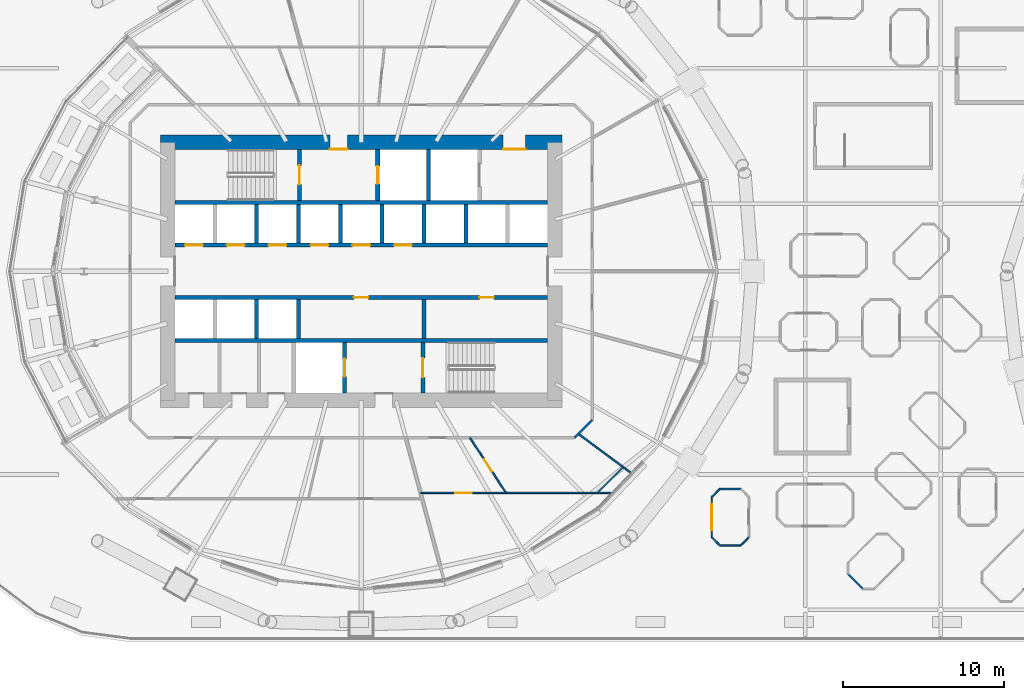
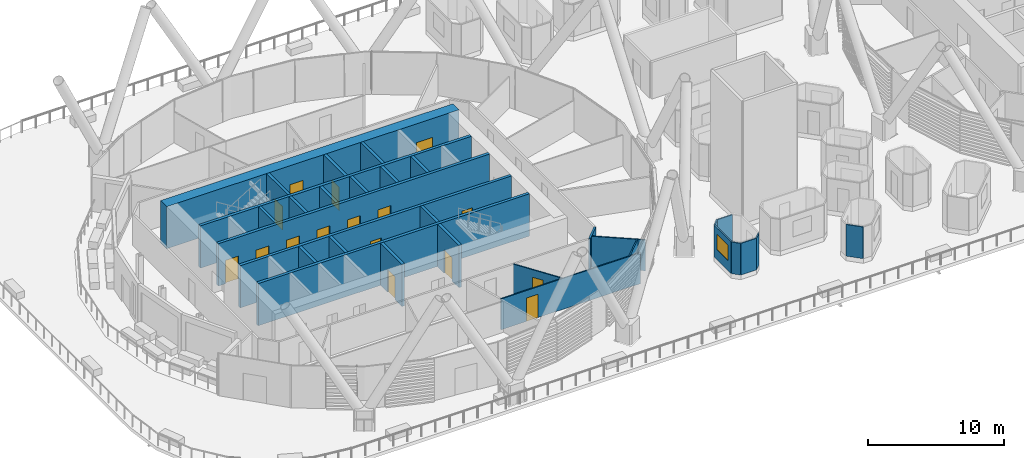
# One storey, part 25 of 47: 31 walls, 16 doors, 1 window, 17 openings.
"""IFC4 building model written with IfcOpenShell, lengths in metres."""

from ifc_helpers import new_model, si_unit, direction, frame, frame_2d, origin, place, context, subcontext, project, spatial, rectangle, extrude, material, layer, layer_set, type_object, element, fill, save


model = new_model("IFC4")

# Units and contexts
model_context = context("Model", 3, precision=1e-05, world=origin(), true_north=direction((0.0, 1.0)))
body_context = subcontext(model_context, "Body", "Model", "MODEL_VIEW")
ifc_project = project(units=[si_unit("LENGTHUNIT", "METRE"), si_unit("AREAUNIT", "SQUARE_METRE"), si_unit("VOLUMEUNIT", "CUBIC_METRE"), si_unit("PLANEANGLEUNIT", "RADIAN"), si_unit("MASSUNIT", "GRAM", prefix="KILO")], contexts=[model_context])

# Site, building, storey
site_placement = place(None, origin())
site = spatial("IfcSite", under=ifc_project, at=site_placement, CompositionType="ELEMENT")
building_placement = place(site_placement, origin())
building = spatial("IfcBuilding", under=site, at=building_placement, Name="Rimbun Link Towers", CompositionType="ELEMENT")
storey_placement = place(building_placement, frame((0.0, 0.0, 30.0)))
storey = spatial("IfcBuildingStorey", under=building, at=storey_placement, Name="L06", CompositionType="ELEMENT", Elevation=30.0)

# Walls
ifc_material_1 = material(Name="Terracotta-faced insulated sandwich panel", Category="masonry")
ifc_layer_1 = layer(ifc_material_1, 0.10009765625)
ifc_layer_set_1 = layer_set([ifc_layer_1], Name="CAPSULE shell panel 100")
wall_type_1 = type_object("IfcWallType", Name="CAPSULE shell panel 100", PredefinedType="STANDARD", material=ifc_layer_set_1)
for number, where, z_axis, x_axis, name in (
    (1, (-1.547119140625, -18.77783203125, 0.409912109375), (0.0, 0.0, 1.0), (0.707106781187, -0.707106781187, 0.0), "CAPSULE P02 shell panel 5"),
    (2, (-8.199951171875, -13.5, 0.409912109375), (0.0, 0.0, 1.0), (-1.0, 0.0, 0.0), "CAPSULE P03 shell panel 1"),
):
    element("IfcWall", number, at=place(storey_placement, frame(where, z_axis=z_axis, x_axis=x_axis)), inside=storey, type_object=wall_type_1, Name=name, PredefinedType="STANDARD", context=body_context, shape_type="SweptSolid", body=[
        extrude(rectangle(XDim=1.300048828125, YDim=0.10009765625, at=frame_2d((0.64990234375, 0.0))), origin(), (0.0, 0.0, 1.0), 2.85009765625),
    ])
wall_1_placement = place(storey_placement, frame((-9.5, -13.5, 0.409912109375), z_axis=(0.0, 0.0, 1.0), x_axis=(-0.707106781187, -0.707106781187, 0.0)))
element("IfcWall", 3, at=wall_1_placement, inside=storey, type_object=wall_type_1, Name="CAPSULE P03 shell panel 2", PredefinedType="STANDARD", context=body_context, shape_type="SweptSolid", body=[
    extrude(rectangle(XDim=0.70703125, YDim=0.10009765625, at=frame_2d((0.353515625, 0.0))), origin(), (0.0, 0.0, 1.0), 2.85009765625),
])

# Wall, opening, window
wall_2_placement = place(storey_placement, frame((-10.0, -14.0, 0.409912109375), z_axis=(0.0, 0.0, 1.0), x_axis=(0.0, -1.0, 0.0)))
wall_2 = element("IfcWall", 4, at=wall_2_placement, inside=storey, type_object=wall_type_1, Name="CAPSULE P03 shell panel 3", PredefinedType="STANDARD", context=body_context, shape_type="SweptSolid", body=[
    extrude(rectangle(XDim=2.5, YDim=0.10009765625, at=frame_2d((1.25, 0.0))), origin(), (0.0, 0.0, 1.0), 2.85009765625),
])
opening_1_placement = place(wall_2_placement, frame((0.449951171875, 0.0, 0.89990234375)))
opening_1 = element("IfcOpeningElement", 5, at=opening_1_placement, cuts=wall_2, Name="Opening CN06.03", PredefinedType="OPENING", context=body_context, shape_type="SweptSolid", body=[
    extrude(rectangle(XDim=1.60009765625, YDim=1.39990234375, at=frame_2d((0.800048828125, 0.699951171875))), frame((0.0, 0.06005859375, 0.0), z_axis=(0.0, -1.0, 0.0), x_axis=(1.0, 0.0, 0.0)), (0.0, 0.0, 1.0), 0.1201171875),
])
ifc_material_2 = material(Name="Aluminium framed window, low-iron glass", Category="aluminium")
window_type = type_object("IfcWindowType", Name="CAPSULE window 1600X1400", PartitioningType="SINGLE_PANEL", PredefinedType="WINDOW", material=ifc_material_2)
window_placement = place(opening_1_placement, origin())
window = element("IfcWindow", 6, at=window_placement, inside=storey, type_object=window_type, Name="CAPSULE P03 window", OverallHeight=1.39990234375, OverallWidth=1.60009765625, PartitioningType="SINGLE_PANEL", PredefinedType="WINDOW", context=body_context, shape_type="SweptSolid", body=[
    extrude(rectangle(XDim=1.60009765625, YDim=1.39990234375, at=frame_2d((0.800048828125, 0.699951171875))), frame((0.0, 0.030029296875, 0.0), z_axis=(0.0, -1.0, 0.0), x_axis=(1.0, 0.0, 0.0)), (0.0, 0.0, 1.0), 0.06005859375),
])
fill(opening_1, window)

# Walls
wall_3_placement = place(storey_placement, frame((-10.0, -16.5, 0.409912109375), z_axis=(0.0, 0.0, 1.0), x_axis=(0.707106781187, -0.707106781187, 0.0)))
element("IfcWall", 7, at=wall_3_placement, inside=storey, type_object=wall_type_1, Name="CAPSULE P03 shell panel 4", PredefinedType="STANDARD", context=body_context, shape_type="SweptSolid", body=[
    extrude(rectangle(XDim=0.70703125, YDim=0.10009765625, at=frame_2d((0.353515625, 0.0))), origin(), (0.0, 0.0, 1.0), 2.85009765625),
])
wall_4_placement = place(storey_placement, frame((-9.5, -17.0, 0.409912109375), z_axis=(0.0, 0.0, 1.0), x_axis=(1.0, 0.0, 0.0)))
element("IfcWall", 8, at=wall_4_placement, inside=storey, type_object=wall_type_1, Name="CAPSULE P03 shell panel 5", PredefinedType="STANDARD", context=body_context, shape_type="SweptSolid", body=[
    extrude(rectangle(XDim=1.300048828125, YDim=0.10009765625, at=frame_2d((0.64990234375, 0.0))), origin(), (0.0, 0.0, 1.0), 2.85009765625),
])
wall_5_placement = place(storey_placement, frame((-8.199951171875, -17.0, 0.409912109375), z_axis=(0.0, 0.0, 1.0), x_axis=(0.707106781187, 0.707106781187, 0.0)))
element("IfcWall", 9, at=wall_5_placement, inside=storey, type_object=wall_type_1, Name="CAPSULE P03 shell panel 6", PredefinedType="STANDARD", context=body_context, shape_type="SweptSolid", body=[
    extrude(rectangle(XDim=0.70703125, YDim=0.10009765625, at=frame_2d((0.353515625, 0.0))), origin(), (0.0, 0.0, 1.0), 2.85009765625),
])

# Wall, openings, doors
ifc_material_3 = material(Name="Concrete C60/75", Category="concrete")
ifc_layer_2 = layer(ifc_material_3, 0.89990234375)
ifc_layer_set_2 = layer_set([ifc_layer_2], Name="Core shear wall 900")
wall_type_2 = type_object("IfcWallType", Name="Core shear wall 900", PredefinedType="SHEAR", material=ifc_layer_set_2)
wall_6_placement = place(storey_placement, frame((-44.199951171875, 8.0, 0.0), z_axis=(0.0, 0.0, 1.0), x_axis=(1.0, 0.0, 0.0)))
wall_6 = element("IfcWall", 10, at=wall_6_placement, inside=storey, type_object=wall_type_2, Name="L06 T1 core wall N", PredefinedType="SHEAR", context=body_context, shape_type="SweptSolid", body=[
    extrude(rectangle(XDim=24.89990234375, YDim=0.89990234375, at=frame_2d((12.449951171875, 0.0))), origin(), (0.0, 0.0, 1.0), 3.800048828125),
])
opening_2_placement = place(wall_6_placement, frame((10.5, 0.0, 0.0)))
opening_2 = element("IfcOpeningElement", 11, at=opening_2_placement, cuts=wall_6, Name="Opening C1DCF01N", PredefinedType="OPENING", context=body_context, shape_type="SweptSolid", body=[
    extrude(rectangle(XDim=1.10009765625, YDim=2.10009765625, at=frame_2d((0.550048828125, 1.050048828125))), frame((0.0, 0.4599609375, 0.0), z_axis=(0.0, -1.0, 0.0), x_axis=(1.0, 0.0, 0.0)), (0.0, 0.0, 1.0), 0.919921875),
])
opening_3_placement = place(wall_6_placement, frame((21.25, 0.0, 0.0)))
opening_3 = element("IfcOpeningElement", 12, at=opening_3_placement, cuts=wall_6, Name="Opening C1DSL02N", PredefinedType="OPENING", context=body_context, shape_type="SweptSolid", body=[
    extrude(rectangle(XDim=1.39990234375, YDim=2.10009765625, at=frame_2d((0.699951171875, 1.050048828125))), frame((0.0, 0.4599609375, 0.0), z_axis=(0.0, -1.0, 0.0), x_axis=(1.0, 0.0, 0.0)), (0.0, 0.0, 1.0), 0.919921875),
])
ifc_material_4 = material(Name="Steel fire door set", Category="steel")
door_type_1 = type_object("IfcDoorType", Name="Core fire door single", OperationType="SINGLE_SWING_LEFT", PredefinedType="DOOR", material=ifc_material_4)
door_1_placement = place(opening_2_placement, origin())
door_1 = element("IfcDoor", 13, at=door_1_placement, inside=storey, type_object=door_type_1, Name="L06 T1 firefighting lobby n door", OperationType="SINGLE_SWING_LEFT", OverallHeight=2.10009765625, OverallWidth=1.10009765625, PredefinedType="DOOR", context=body_context, shape_type="SweptSolid", body=[
    extrude(rectangle(XDim=1.10009765625, YDim=2.10009765625, at=frame_2d((0.550048828125, 1.050048828125))), frame((0.0, -0.39990234375, 0.0), z_axis=(0.0, -1.0, 0.0), x_axis=(1.0, 0.0, 0.0)), (0.0, 0.0, 1.0), 0.050048828125),
])
fill(opening_2, door_1)
ifc_material_5 = material(Name="Steel fire door set", Category="steel")
door_type_2 = type_object("IfcDoorType", Name="Service lobby door double", OperationType="DOUBLE_DOOR_SINGLE_SWING", PredefinedType="DOOR", material=ifc_material_5)
door_2_placement = place(opening_3_placement, origin())
door_2 = element("IfcDoor", 14, at=door_2_placement, inside=storey, type_object=door_type_2, Name="L06 T1 service lobby door", OperationType="DOUBLE_DOOR_SINGLE_SWING", OverallHeight=2.10009765625, OverallWidth=1.39990234375, PredefinedType="DOOR", context=body_context, shape_type="SweptSolid", body=[
    extrude(rectangle(XDim=1.39990234375, YDim=2.10009765625, at=frame_2d((0.699951171875, 1.050048828125))), frame((0.0, -0.39990234375, 0.0), z_axis=(0.0, -1.0, 0.0), x_axis=(1.0, 0.0, 0.0)), (0.0, 0.0, 1.0), 0.050048828125),
])
fill(opening_3, door_2)

# Wall
ifc_material_6 = material(Name="Plasterboard on steel stud, mineral wool", Category="steel")
ifc_layer_3 = layer(ifc_material_6, 0.14990234375)
ifc_layer_set_3 = layer_set([ifc_layer_3], Name="Corridor wall EI 30 150 mm")
wall_type_3 = type_object("IfcWallType", Name="Corridor wall EI 30 150 mm", PredefinedType="PARTITIONING", material=ifc_layer_set_3)
wall_7_placement = place(storey_placement, frame((-18.523193359375, -10.324951171875, 0.0), z_axis=(0.0, 0.0, 1.0), x_axis=(0.707106781187, 0.707106781187, 0.0)))
element("IfcWall", 15, at=wall_7_placement, inside=storey, type_object=wall_type_3, Name="Corridor wall EI 30 150 mm", PredefinedType="PARTITIONING", context=body_context, shape_type="SweptSolid", body=[
    extrude(rectangle(XDim=1.552978515625, YDim=0.14990234375, at=frame_2d((0.7763671875, 0.0))), origin(), (0.0, 0.0, 1.0), 2.779052734375),
])

# Wall, opening, door
ifc_material_7 = material(Name="Plasterboard on steel stud", Category="steel")
ifc_layer_4 = layer(ifc_material_7, 0.10009765625)
ifc_layer_set_4 = layer_set([ifc_layer_4], Name="Plasterboard partition 100 mm")
wall_type_4 = type_object("IfcWallType", Name="Plasterboard partition 100 mm", PredefinedType="PARTITIONING", material=ifc_layer_set_4)
wall_8_placement = place(storey_placement, frame((-25.002685546875, -10.324951171875, 0.0), z_axis=(0.0, 0.0, 1.0), x_axis=(0.547051322279, -0.837099068685, 0.0)))
wall_8 = element("IfcWall", 16, at=wall_8_placement, inside=storey, type_object=wall_type_4, Name="Plasterboard partition 100 mm", PredefinedType="PARTITIONING", context=body_context, shape_type="SweptSolid", body=[
    extrude(rectangle(XDim=4.085693359375, YDim=0.10009765625, at=frame_2d((2.04296875, 0.0))), origin(), (0.0, 0.0, 1.0), 2.779052734375),
])
opening_4_placement = place(wall_8_placement, frame((1.5927734375, 0.0, 0.0)))
opening_4 = element("IfcOpeningElement", 17, at=opening_4_placement, cuts=wall_8, Name="Opening D04", PredefinedType="OPENING", context=body_context, shape_type="SweptSolid", body=[
    extrude(rectangle(XDim=0.89990234375, YDim=2.10009765625, at=frame_2d((0.449951171875, 1.050048828125))), frame((0.0, 0.06005859375, 0.0), z_axis=(0.0, -1.0, 0.0), x_axis=(1.0, 0.0, 0.0)), (0.0, 0.0, 1.0), 0.1201171875),
])
ifc_material_8 = material(Name="Timber door leaf", Category="wood")
door_type_3 = type_object("IfcDoorType", Name="Flush door 900", OperationType="NOTDEFINED", PredefinedType="DOOR", material=ifc_material_8)
door_3_placement = place(opening_4_placement, origin())
door_3 = element("IfcDoor", 18, at=door_3_placement, inside=storey, type_object=door_type_3, Name="Flush door 900 to Meeting room", OperationType="SINGLE_SWING_RIGHT", OverallHeight=2.10009765625, OverallWidth=0.89990234375, PredefinedType="DOOR", context=body_context, shape_type="SweptSolid", body=[
    extrude(rectangle(XDim=0.89990234375, YDim=2.10009765625, at=frame_2d((0.449951171875, 1.050048828125))), frame((0.0, 0.02490234375, 0.0), z_axis=(0.0, -1.0, 0.0), x_axis=(1.0, 0.0, 0.0)), (0.0, 0.0, 1.0), 0.050048828125),
])
fill(opening_4, door_3)

wall_9_placement = place(storey_placement, frame((-16.1962890625, -13.7451171875, 0.0), z_axis=(0.0, 0.0, 1.0), x_axis=(-1.0, 0.0, 0.0)))
wall_9 = element("IfcWall", 19, at=wall_9_placement, inside=storey, type_object=wall_type_4, Name="Plasterboard partition 100 mm", PredefinedType="PARTITIONING", context=body_context, shape_type="SweptSolid", body=[
    extrude(rectangle(XDim=11.87060546875, YDim=0.10009765625, at=frame_2d((5.935302734375, 0.0))), origin(), (0.0, 0.0, 1.0), 2.779052734375),
])
opening_5_placement = place(wall_9_placement, frame((8.706298828125, 0.0, 0.0)))
opening_5 = element("IfcOpeningElement", 20, at=opening_5_placement, cuts=wall_9, Name="Opening D03", PredefinedType="OPENING", context=body_context, shape_type="SweptSolid", body=[
    extrude(rectangle(XDim=1.0, YDim=2.10009765625, at=frame_2d((0.5, 1.050048828125))), frame((0.0, 0.06005859375, 0.0), z_axis=(0.0, -1.0, 0.0), x_axis=(1.0, 0.0, 0.0)), (0.0, 0.0, 1.0), 0.1201171875),
])
ifc_material_9 = material(Name="Timber door leaf", Category="wood")
door_type_4 = type_object("IfcDoorType", Name="Flush door 1000", OperationType="NOTDEFINED", PredefinedType="DOOR", material=ifc_material_9)
door_4_placement = place(opening_5_placement, origin())
door_4 = element("IfcDoor", 21, at=door_4_placement, inside=storey, type_object=door_type_4, Name="Flush door 1000 to Open office", OperationType="SINGLE_SWING_LEFT", OverallHeight=2.10009765625, OverallWidth=1.0, PredefinedType="DOOR", context=body_context, shape_type="SweptSolid", body=[
    extrude(rectangle(XDim=1.0, YDim=2.10009765625, at=frame_2d((0.5, 1.050048828125))), frame((0.0, 0.02490234375, 0.0), z_axis=(0.0, -1.0, 0.0), x_axis=(1.0, 0.0, 0.0)), (0.0, 0.0, 1.0), 0.050048828125),
])
fill(opening_5, door_4)

# Walls
wall_10_placement = place(storey_placement, frame((-15.01171875, -12.515380859375, 0.0), z_axis=(0.0, 0.0, 1.0), x_axis=(-0.800890859627, 0.598810346408, 0.0)))
element("IfcWall", 22, at=wall_10_placement, inside=storey, type_object=wall_type_4, Name="Plasterboard partition 100 mm", PredefinedType="PARTITIONING", context=body_context, shape_type="SweptSolid", body=[
    extrude(rectangle(XDim=4.07373046875, YDim=0.10009765625, at=frame_2d((2.036865234375, 0.0))), origin(), (0.0, 0.0, 1.0), 2.779052734375),
])
wall_11_placement = place(storey_placement, frame((-17.106689453125, -13.7451171875, 0.0), z_axis=(0.0, 0.0, 1.0), x_axis=(0.707052822105, 0.70716073615, 0.0)))
element("IfcWall", 23, at=wall_11_placement, inside=storey, type_object=wall_type_4, Name="Plasterboard partition 100 mm", PredefinedType="PARTITIONING", context=body_context, shape_type="SweptSolid", body=[
    extrude(rectangle(XDim=2.262451171875, YDim=0.10009765625, at=frame_2d((1.13134765625, 0.0))), origin(), (0.0, 0.0, 1.0), 2.779052734375),
])
ifc_material_10 = material(Name="Concrete C60/75", Category="concrete")
ifc_layer_5 = layer(ifc_material_10, 0.25)
ifc_layer_set_5 = layer_set([ifc_layer_5], Name="Shaft wall 250")
wall_type_5 = type_object("IfcWallType", Name="Shaft wall 250", PredefinedType="SHEAR", material=ifc_layer_set_5)
for number, where, z_axis, x_axis, name in (
    (24, (-43.300048828125, 4.27490234375, 0.0), (0.0, 0.0, 1.0), (1.0, 0.0, 0.0), "L06 T1 core wall BN"),
    (25, (-43.300048828125, -4.27490234375, 0.0), (0.0, 0.0, 1.0), (1.0, 0.0, 0.0), "L06 T1 core wall BS"),
):
    element("IfcWall", number, at=place(storey_placement, frame(where, z_axis=z_axis, x_axis=x_axis)), inside=storey, type_object=wall_type_5, Name=name, PredefinedType="SHEAR", context=body_context, shape_type="SweptSolid", body=[
        extrude(rectangle(XDim=23.10009765625, YDim=0.25, at=frame_2d((11.550048828125, 0.0))), origin(), (0.0, 0.0, 1.0), 3.800048828125),
    ])

# Wall, openings, doors
wall_12_placement = place(storey_placement, frame((-43.300048828125, 1.625, 0.0), z_axis=(0.0, 0.0, 1.0), x_axis=(1.0, 0.0, 0.0)))
wall_12 = element("IfcWall", 26, at=wall_12_placement, inside=storey, type_object=wall_type_5, Name="L06 T1 core wall FN", PredefinedType="SHEAR", context=body_context, shape_type="SweptSolid", body=[
    extrude(rectangle(XDim=23.10009765625, YDim=0.25, at=frame_2d((11.550048828125, 0.0))), origin(), (0.0, 0.0, 1.0), 3.800048828125),
])
opening_6_placement = place(wall_12_placement, frame((0.622314453125, 0.0, 0.0)))
opening_6 = element("IfcOpeningElement", 27, at=opening_6_placement, cuts=wall_12, Name="Opening LD-T1-LR1", PredefinedType="OPENING", context=body_context, shape_type="SweptSolid", body=[
    extrude(rectangle(XDim=1.10009765625, YDim=2.10009765625, at=frame_2d((0.550048828125, 1.050048828125))), frame((0.0, 0.135009765625, 0.0), z_axis=(0.0, -1.0, 0.0), x_axis=(1.0, 0.0, 0.0)), (0.0, 0.0, 1.0), 0.27001953125),
])
opening_7_placement = place(wall_12_placement, frame((3.216796875, 0.0, 0.0)))
opening_7 = element("IfcOpeningElement", 28, at=opening_7_placement, cuts=wall_12, Name="Opening LD-T1-LR2", PredefinedType="OPENING", context=body_context, shape_type="SweptSolid", body=[
    extrude(rectangle(XDim=1.10009765625, YDim=2.10009765625, at=frame_2d((0.550048828125, 1.050048828125))), frame((0.0, 0.135009765625, 0.0), z_axis=(0.0, -1.0, 0.0), x_axis=(1.0, 0.0, 0.0)), (0.0, 0.0, 1.0), 0.27001953125),
])
opening_8_placement = place(wall_12_placement, frame((5.81103515625, 0.0, 0.0)))
opening_8 = element("IfcOpeningElement", 29, at=opening_8_placement, cuts=wall_12, Name="Opening LD-T1-LR3", PredefinedType="OPENING", context=body_context, shape_type="SweptSolid", body=[
    extrude(rectangle(XDim=1.10009765625, YDim=2.10009765625, at=frame_2d((0.550048828125, 1.050048828125))), frame((0.0, 0.135009765625, 0.0), z_axis=(0.0, -1.0, 0.0), x_axis=(1.0, 0.0, 0.0)), (0.0, 0.0, 1.0), 0.27001953125),
])
opening_9_placement = place(wall_12_placement, frame((8.405517578125, 0.0, 0.0)))
opening_9 = element("IfcOpeningElement", 30, at=opening_9_placement, cuts=wall_12, Name="Opening LD-T1-LR4", PredefinedType="OPENING", context=body_context, shape_type="SweptSolid", body=[
    extrude(rectangle(XDim=1.10009765625, YDim=2.10009765625, at=frame_2d((0.550048828125, 1.050048828125))), frame((0.0, 0.135009765625, 0.0), z_axis=(0.0, -1.0, 0.0), x_axis=(1.0, 0.0, 0.0)), (0.0, 0.0, 1.0), 0.27001953125),
])
opening_10_placement = place(wall_12_placement, frame((11.0, 0.0, 0.0)))
opening_10 = element("IfcOpeningElement", 31, at=opening_10_placement, cuts=wall_12, Name="Opening LD-T1-LR5", PredefinedType="OPENING", context=body_context, shape_type="SweptSolid", body=[
    extrude(rectangle(XDim=1.10009765625, YDim=2.10009765625, at=frame_2d((0.550048828125, 1.050048828125))), frame((0.0, 0.135009765625, 0.0), z_axis=(0.0, -1.0, 0.0), x_axis=(1.0, 0.0, 0.0)), (0.0, 0.0, 1.0), 0.27001953125),
])
opening_11_placement = place(wall_12_placement, frame((13.594482421875, 0.0, 0.0)))
opening_11 = element("IfcOpeningElement", 32, at=opening_11_placement, cuts=wall_12, Name="Opening LD-T1-LR6", PredefinedType="OPENING", context=body_context, shape_type="SweptSolid", body=[
    extrude(rectangle(XDim=1.10009765625, YDim=2.10009765625, at=frame_2d((0.550048828125, 1.050048828125))), frame((0.0, 0.135009765625, 0.0), z_axis=(0.0, -1.0, 0.0), x_axis=(1.0, 0.0, 0.0)), (0.0, 0.0, 1.0), 0.27001953125),
])
ifc_material_11 = material(Name="Stainless steel grade 316", Category="steel")
door_type_5 = type_object("IfcDoorType", Name="Lift landing door", OperationType="DOUBLE_DOOR_SLIDING", PredefinedType="DOOR", material=ifc_material_11)
door_5_placement = place(opening_6_placement, origin())
door_5 = element("IfcDoor", 33, at=door_5_placement, inside=storey, type_object=door_type_5, Name="L06 T1 lift LR1 landing door", OperationType="DOUBLE_DOOR_SLIDING", OverallHeight=2.10009765625, OverallWidth=1.10009765625, PredefinedType="DOOR", context=body_context, shape_type="SweptSolid", body=[
    extrude(rectangle(XDim=1.10009765625, YDim=2.10009765625, at=frame_2d((0.550048828125, 1.050048828125))), frame((0.0, 0.02490234375, 0.0), z_axis=(0.0, -1.0, 0.0), x_axis=(1.0, 0.0, 0.0)), (0.0, 0.0, 1.0), 0.050048828125),
])
fill(opening_6, door_5)
door_6_placement = place(opening_7_placement, origin())
door_6 = element("IfcDoor", 34, at=door_6_placement, inside=storey, type_object=door_type_5, Name="L06 T1 lift LR2 landing door", OperationType="DOUBLE_DOOR_SLIDING", OverallHeight=2.10009765625, OverallWidth=1.10009765625, PredefinedType="DOOR", context=body_context, shape_type="SweptSolid", body=[
    extrude(rectangle(XDim=1.10009765625, YDim=2.10009765625, at=frame_2d((0.550048828125, 1.050048828125))), frame((0.0, 0.02490234375, 0.0), z_axis=(0.0, -1.0, 0.0), x_axis=(1.0, 0.0, 0.0)), (0.0, 0.0, 1.0), 0.050048828125),
])
fill(opening_7, door_6)
door_7_placement = place(opening_8_placement, origin())
door_7 = element("IfcDoor", 35, at=door_7_placement, inside=storey, type_object=door_type_5, Name="L06 T1 lift LR3 landing door", OperationType="DOUBLE_DOOR_SLIDING", OverallHeight=2.10009765625, OverallWidth=1.10009765625, PredefinedType="DOOR", context=body_context, shape_type="SweptSolid", body=[
    extrude(rectangle(XDim=1.10009765625, YDim=2.10009765625, at=frame_2d((0.550048828125, 1.050048828125))), frame((0.0, 0.02490234375, 0.0), z_axis=(0.0, -1.0, 0.0), x_axis=(1.0, 0.0, 0.0)), (0.0, 0.0, 1.0), 0.050048828125),
])
fill(opening_8, door_7)
door_8_placement = place(opening_9_placement, origin())
door_8 = element("IfcDoor", 36, at=door_8_placement, inside=storey, type_object=door_type_5, Name="L06 T1 lift LR4 landing door", OperationType="DOUBLE_DOOR_SLIDING", OverallHeight=2.10009765625, OverallWidth=1.10009765625, PredefinedType="DOOR", context=body_context, shape_type="SweptSolid", body=[
    extrude(rectangle(XDim=1.10009765625, YDim=2.10009765625, at=frame_2d((0.550048828125, 1.050048828125))), frame((0.0, 0.02490234375, 0.0), z_axis=(0.0, -1.0, 0.0), x_axis=(1.0, 0.0, 0.0)), (0.0, 0.0, 1.0), 0.050048828125),
])
fill(opening_9, door_8)
door_9_placement = place(opening_10_placement, origin())
door_9 = element("IfcDoor", 37, at=door_9_placement, inside=storey, type_object=door_type_5, Name="L06 T1 lift LR5 landing door", OperationType="DOUBLE_DOOR_SLIDING", OverallHeight=2.10009765625, OverallWidth=1.10009765625, PredefinedType="DOOR", context=body_context, shape_type="SweptSolid", body=[
    extrude(rectangle(XDim=1.10009765625, YDim=2.10009765625, at=frame_2d((0.550048828125, 1.050048828125))), frame((0.0, 0.02490234375, 0.0), z_axis=(0.0, -1.0, 0.0), x_axis=(1.0, 0.0, 0.0)), (0.0, 0.0, 1.0), 0.050048828125),
])
fill(opening_10, door_9)
door_10_placement = place(opening_11_placement, origin())
door_10 = element("IfcDoor", 38, at=door_10_placement, inside=storey, type_object=door_type_5, Name="L06 T1 lift LR6 landing door", OperationType="DOUBLE_DOOR_SLIDING", OverallHeight=2.10009765625, OverallWidth=1.10009765625, PredefinedType="DOOR", context=body_context, shape_type="SweptSolid", body=[
    extrude(rectangle(XDim=1.10009765625, YDim=2.10009765625, at=frame_2d((0.550048828125, 1.050048828125))), frame((0.0, 0.02490234375, 0.0), z_axis=(0.0, -1.0, 0.0), x_axis=(1.0, 0.0, 0.0)), (0.0, 0.0, 1.0), 0.050048828125),
])
fill(opening_11, door_10)

wall_13_placement = place(storey_placement, frame((-43.300048828125, -1.625, 0.0), z_axis=(0.0, 0.0, 1.0), x_axis=(1.0, 0.0, 0.0)))
wall_13 = element("IfcWall", 39, at=wall_13_placement, inside=storey, type_object=wall_type_5, Name="L06 T1 core wall FS", PredefinedType="SHEAR", context=body_context, shape_type="SweptSolid", body=[
    extrude(rectangle(XDim=23.10009765625, YDim=0.25, at=frame_2d((11.550048828125, 0.0))), origin(), (0.0, 0.0, 1.0), 3.800048828125),
])
opening_12_placement = place(wall_13_placement, frame((11.10009765625, 0.0, 0.0)))
opening_12 = element("IfcOpeningElement", 40, at=opening_12_placement, cuts=wall_13, Name="Opening C1DRS01FS", PredefinedType="OPENING", context=body_context, shape_type="SweptSolid", body=[
    extrude(rectangle(XDim=0.89990234375, YDim=2.10009765625, at=frame_2d((0.449951171875, 1.050048828125))), frame((0.0, 0.135009765625, 0.0), z_axis=(0.0, -1.0, 0.0), x_axis=(1.0, 0.0, 0.0)), (0.0, 0.0, 1.0), 0.27001953125),
])
opening_13_placement = place(wall_13_placement, frame((18.88330078125, 0.0, 0.0)))
opening_13 = element("IfcOpeningElement", 41, at=opening_13_placement, cuts=wall_13, Name="Opening C1DRS02FS", PredefinedType="OPENING", context=body_context, shape_type="SweptSolid", body=[
    extrude(rectangle(XDim=0.89990234375, YDim=2.10009765625, at=frame_2d((0.449951171875, 1.050048828125))), frame((0.0, 0.135009765625, 0.0), z_axis=(0.0, -1.0, 0.0), x_axis=(1.0, 0.0, 0.0)), (0.0, 0.0, 1.0), 0.27001953125),
])
ifc_material_12 = material(Name="Steel fire door set", Category="steel")
door_type_6 = type_object("IfcDoorType", Name="Core riser door", OperationType="SINGLE_SWING_LEFT", PredefinedType="DOOR", material=ifc_material_12)
door_11_placement = place(opening_12_placement, origin())
door_11 = element("IfcDoor", 42, at=door_11_placement, inside=storey, type_object=door_type_6, Name="L06 T1 plant room door", OperationType="SINGLE_SWING_LEFT", OverallHeight=2.10009765625, OverallWidth=0.89990234375, PredefinedType="DOOR", context=body_context, shape_type="SweptSolid", body=[
    extrude(rectangle(XDim=0.89990234375, YDim=2.10009765625, at=frame_2d((0.449951171875, 1.050048828125))), frame((0.0, 0.02490234375, 0.0), z_axis=(0.0, -1.0, 0.0), x_axis=(1.0, 0.0, 0.0)), (0.0, 0.0, 1.0), 0.050048828125),
])
fill(opening_12, door_11)
door_12_placement = place(opening_13_placement, origin())
door_12 = element("IfcDoor", 43, at=door_12_placement, inside=storey, type_object=door_type_6, Name="L06 T1 wellness room door", OperationType="SINGLE_SWING_LEFT", OverallHeight=2.10009765625, OverallWidth=0.89990234375, PredefinedType="DOOR", context=body_context, shape_type="SweptSolid", body=[
    extrude(rectangle(XDim=0.89990234375, YDim=2.10009765625, at=frame_2d((0.449951171875, 1.050048828125))), frame((0.0, 0.02490234375, 0.0), z_axis=(0.0, -1.0, 0.0), x_axis=(1.0, 0.0, 0.0)), (0.0, 0.0, 1.0), 0.050048828125),
])
fill(opening_13, door_12)

# Walls
for number, where, z_axis, x_axis, name in (
    (44, (-38.236083984375, 1.75, 0.0), (0.0, 0.0, 1.0), (0.0, 1.0, 0.0), "L06 T1 core wall DN1"),
    (45, (-35.6416015625, 1.75, 0.0), (0.0, 0.0, 1.0), (0.0, 1.0, 0.0), "L06 T1 core wall DN2"),
    (46, (-33.047119140625, 1.75, 0.0), (0.0, 0.0, 1.0), (0.0, 1.0, 0.0), "L06 T1 core wall DN3"),
    (47, (-30.452880859375, 1.75, 0.0), (0.0, 0.0, 1.0), (0.0, 1.0, 0.0), "L06 T1 core wall DN4"),
    (48, (-27.8583984375, 1.75, 0.0), (0.0, 0.0, 1.0), (0.0, 1.0, 0.0), "L06 T1 core wall DN5"),
    (49, (-25.263916015625, 1.75, 0.0), (0.0, 0.0, 1.0), (0.0, 1.0, 0.0), "L06 T1 core wall DN6"),
    (50, (-38.236083984375, -4.14990234375, 0.0), (0.0, 0.0, 1.0), (0.0, 1.0, 0.0), "L06 T1 core wall DS1"),
    (51, (-35.6416015625, -4.14990234375, 0.0), (0.0, 0.0, 1.0), (0.0, 1.0, 0.0), "L06 T1 core wall DS2"),
    (52, (-27.8583984375, -4.14990234375, 0.0), (0.0, 0.0, 1.0), (0.0, 1.0, 0.0), "L06 T1 core wall DS5"),
):
    element("IfcWall", number, at=place(storey_placement, frame(where, z_axis=z_axis, x_axis=x_axis)), inside=storey, type_object=wall_type_5, Name=name, PredefinedType="SHEAR", context=body_context, shape_type="SweptSolid", body=[
        extrude(rectangle(XDim=2.39990234375, YDim=0.25, at=frame_2d((1.199951171875, 0.0))), origin(), (0.0, 0.0, 1.0), 3.800048828125),
    ])

# Wall, opening, door
wall_14_placement = place(storey_placement, frame((-35.574951171875, 4.39990234375, 0.0), z_axis=(0.0, 0.0, 1.0), x_axis=(0.0, 1.0, 0.0)))
wall_14 = element("IfcWall", 53, at=wall_14_placement, inside=storey, type_object=wall_type_5, Name="L06 T1 core wall A1", PredefinedType="SHEAR", context=body_context, shape_type="SweptSolid", body=[
    extrude(rectangle(XDim=3.150146484375, YDim=0.25, at=frame_2d((1.5751953125, 0.0))), origin(), (0.0, 0.0, 1.0), 3.800048828125),
])
opening_14_placement = place(wall_14_placement, frame((0.97509765625, 0.0, 0.0)))
opening_14 = element("IfcOpeningElement", 54, at=opening_14_placement, cuts=wall_14, Name="Opening C1DST01A1", PredefinedType="OPENING", context=body_context, shape_type="SweptSolid", body=[
    extrude(rectangle(XDim=1.199951171875, YDim=2.10009765625, at=frame_2d((0.60009765625, 1.050048828125))), frame((0.0, 0.135009765625, 0.0), z_axis=(0.0, -1.0, 0.0), x_axis=(1.0, 0.0, 0.0)), (0.0, 0.0, 1.0), 0.27001953125),
])
ifc_material_13 = material(Name="Steel fire door set", Category="steel")
door_type_7 = type_object("IfcDoorType", Name="Stair door", OperationType="SINGLE_SWING_LEFT", PredefinedType="DOOR", material=ifc_material_13)
door_13_placement = place(opening_14_placement, origin())
door_13 = element("IfcDoor", 55, at=door_13_placement, inside=storey, type_object=door_type_7, Name="L06 T1 stair a door", OperationType="SINGLE_SWING_RIGHT", OverallHeight=2.10009765625, OverallWidth=1.199951171875, PredefinedType="DOOR", context=body_context, shape_type="SweptSolid", body=[
    extrude(rectangle(XDim=1.199951171875, YDim=2.10009765625, at=frame_2d((0.60009765625, 1.050048828125))), frame((0.0, 0.02490234375, 0.0), z_axis=(0.0, -1.0, 0.0), x_axis=(1.0, 0.0, 0.0)), (0.0, 0.0, 1.0), 0.050048828125),
])
fill(opening_14, door_13)

wall_15_placement = place(storey_placement, frame((-30.72509765625, 4.39990234375, 0.0), z_axis=(0.0, 0.0, 1.0), x_axis=(0.0, 1.0, 0.0)))
wall_15 = element("IfcWall", 56, at=wall_15_placement, inside=storey, type_object=wall_type_5, Name="L06 T1 core wall A2", PredefinedType="SHEAR", context=body_context, shape_type="SweptSolid", body=[
    extrude(rectangle(XDim=3.150146484375, YDim=0.25, at=frame_2d((1.5751953125, 0.0))), origin(), (0.0, 0.0, 1.0), 3.800048828125),
])
opening_15_placement = place(wall_15_placement, frame((1.02490234375, 0.0, 0.0)))
opening_15 = element("IfcOpeningElement", 57, at=opening_15_placement, cuts=wall_15, Name="Opening LD-T1-FF1", PredefinedType="OPENING", context=body_context, shape_type="SweptSolid", body=[
    extrude(rectangle(XDim=1.10009765625, YDim=2.10009765625, at=frame_2d((0.550048828125, 1.050048828125))), frame((0.0, 0.135009765625, 0.0), z_axis=(0.0, -1.0, 0.0), x_axis=(1.0, 0.0, 0.0)), (0.0, 0.0, 1.0), 0.27001953125),
])
door_14_placement = place(opening_15_placement, origin())
door_14 = element("IfcDoor", 58, at=door_14_placement, inside=storey, type_object=door_type_5, Name="L06 T1 lift FF1 landing door", OperationType="DOUBLE_DOOR_SLIDING", OverallHeight=2.10009765625, OverallWidth=1.10009765625, PredefinedType="DOOR", context=body_context, shape_type="SweptSolid", body=[
    extrude(rectangle(XDim=1.10009765625, YDim=2.10009765625, at=frame_2d((0.550048828125, 1.050048828125))), frame((0.0, 0.02490234375, 0.0), z_axis=(0.0, -1.0, 0.0), x_axis=(1.0, 0.0, 0.0)), (0.0, 0.0, 1.0), 0.050048828125),
])
fill(opening_15, door_14)

# Wall
wall_16_placement = place(storey_placement, frame((-27.574951171875, 4.39990234375, 0.0), z_axis=(0.0, 0.0, 1.0), x_axis=(0.0, 1.0, 0.0)))
element("IfcWall", 59, at=wall_16_placement, inside=storey, type_object=wall_type_5, Name="L06 T1 core wall A3", PredefinedType="SHEAR", context=body_context, shape_type="SweptSolid", body=[
    extrude(rectangle(XDim=3.150146484375, YDim=0.25, at=frame_2d((1.5751953125, 0.0))), origin(), (0.0, 0.0, 1.0), 3.800048828125),
])

# Wall, opening, door
wall_17_placement = place(storey_placement, frame((-27.925048828125, -4.39990234375, 0.0), z_axis=(0.0, 0.0, 1.0), x_axis=(0.0, -1.0, 0.0)))
wall_17 = element("IfcWall", 60, at=wall_17_placement, inside=storey, type_object=wall_type_5, Name="L06 T1 core wall B1", PredefinedType="SHEAR", context=body_context, shape_type="SweptSolid", body=[
    extrude(rectangle(XDim=3.150146484375, YDim=0.25, at=frame_2d((1.5751953125, 0.0))), origin(), (0.0, 0.0, 1.0), 3.800048828125),
])
opening_16_placement = place(wall_17_placement, frame((0.97509765625, 0.0, 0.0)))
opening_16 = element("IfcOpeningElement", 61, at=opening_16_placement, cuts=wall_17, Name="Opening C1DST01B1", PredefinedType="OPENING", context=body_context, shape_type="SweptSolid", body=[
    extrude(rectangle(XDim=1.199951171875, YDim=2.10009765625, at=frame_2d((0.60009765625, 1.050048828125))), frame((0.0, 0.135009765625, 0.0), z_axis=(0.0, -1.0, 0.0), x_axis=(1.0, 0.0, 0.0)), (0.0, 0.0, 1.0), 0.27001953125),
])
door_15_placement = place(opening_16_placement, origin())
door_15 = element("IfcDoor", 62, at=door_15_placement, inside=storey, type_object=door_type_7, Name="L06 T1 stair b door", OperationType="SINGLE_SWING_RIGHT", OverallHeight=2.10009765625, OverallWidth=1.199951171875, PredefinedType="DOOR", context=body_context, shape_type="SweptSolid", body=[
    extrude(rectangle(XDim=1.199951171875, YDim=2.10009765625, at=frame_2d((0.60009765625, 1.050048828125))), frame((0.0, 0.02490234375, 0.0), z_axis=(0.0, -1.0, 0.0), x_axis=(1.0, 0.0, 0.0)), (0.0, 0.0, 1.0), 0.050048828125),
])
fill(opening_16, door_15)

wall_18_placement = place(storey_placement, frame((-32.77490234375, -4.39990234375, 0.0), z_axis=(0.0, 0.0, 1.0), x_axis=(0.0, -1.0, 0.0)))
wall_18 = element("IfcWall", 63, at=wall_18_placement, inside=storey, type_object=wall_type_5, Name="L06 T1 core wall B2", PredefinedType="SHEAR", context=body_context, shape_type="SweptSolid", body=[
    extrude(rectangle(XDim=3.150146484375, YDim=0.25, at=frame_2d((1.5751953125, 0.0))), origin(), (0.0, 0.0, 1.0), 3.800048828125),
])
opening_17_placement = place(wall_18_placement, frame((1.02490234375, 0.0, 0.0)))
opening_17 = element("IfcOpeningElement", 64, at=opening_17_placement, cuts=wall_18, Name="Opening LD-T1-FF2", PredefinedType="OPENING", context=body_context, shape_type="SweptSolid", body=[
    extrude(rectangle(XDim=1.10009765625, YDim=2.10009765625, at=frame_2d((0.550048828125, 1.050048828125))), frame((0.0, 0.135009765625, 0.0), z_axis=(0.0, -1.0, 0.0), x_axis=(1.0, 0.0, 0.0)), (0.0, 0.0, 1.0), 0.27001953125),
])
door_16_placement = place(opening_17_placement, origin())
door_16 = element("IfcDoor", 65, at=door_16_placement, inside=storey, type_object=door_type_5, Name="L06 T1 lift FF2 landing door", OperationType="DOUBLE_DOOR_SLIDING", OverallHeight=2.10009765625, OverallWidth=1.10009765625, PredefinedType="DOOR", context=body_context, shape_type="SweptSolid", body=[
    extrude(rectangle(XDim=1.10009765625, YDim=2.10009765625, at=frame_2d((0.550048828125, 1.050048828125))), frame((0.0, 0.02490234375, 0.0), z_axis=(0.0, -1.0, 0.0), x_axis=(1.0, 0.0, 0.0)), (0.0, 0.0, 1.0), 0.050048828125),
])
fill(opening_17, door_16)

save(model, "model.ifc")
